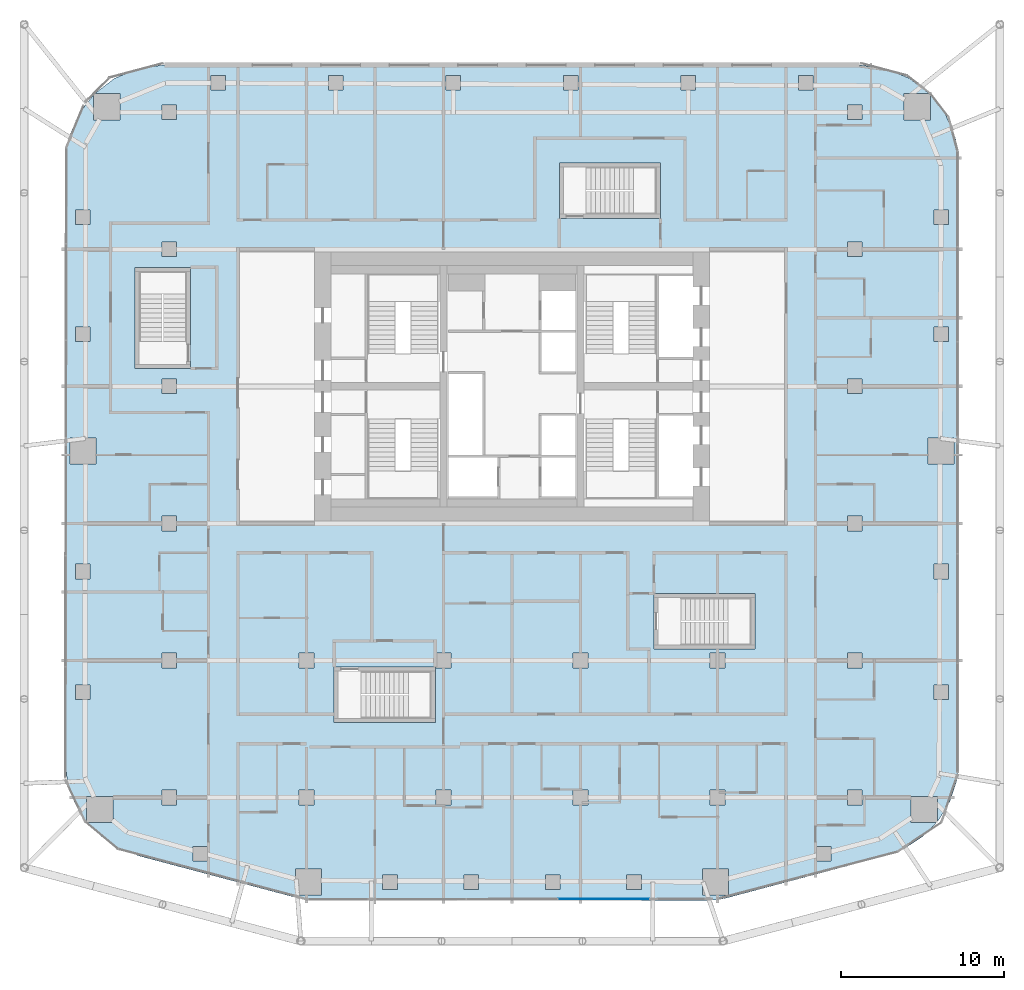
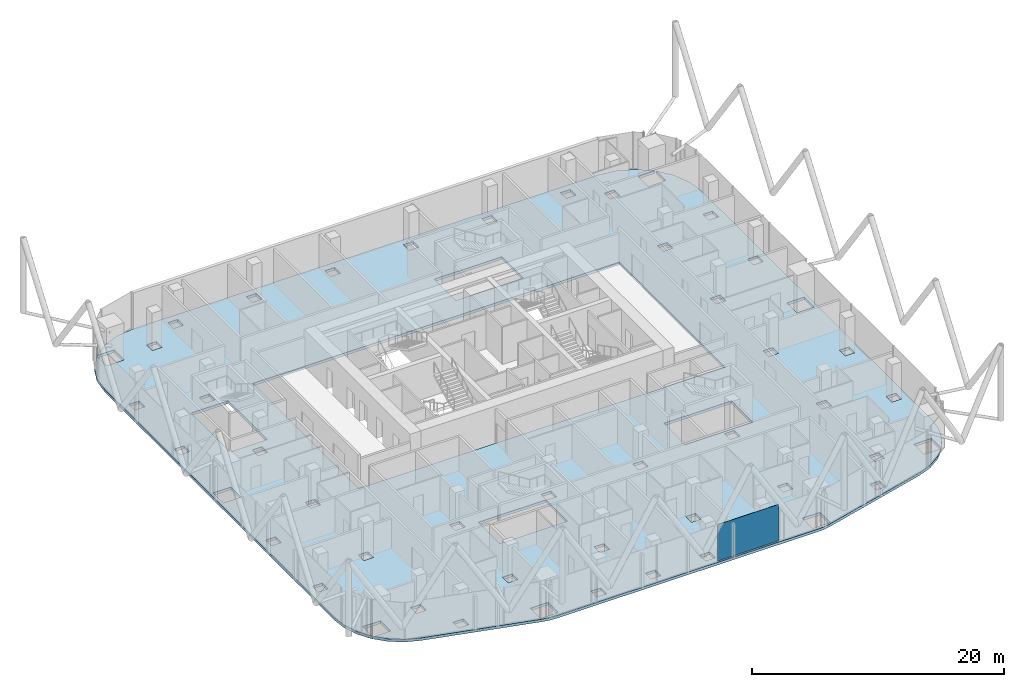
# One storey, part 21 of 36: 1 plate, 1 slab, 1 element without a shape of its own.
"""IFC4 building model written with IfcOpenShell, lengths in metres."""

from ifc_helpers import new_model, si_unit, direction, frame, origin, origin_2d, place, context, subcontext, project, spatial, polyline, rectangle, outline, extrude, material, layer, layer_set, type_object, element, aggregate, save


model = new_model("IFC4")

# Units and contexts
model_context = context("Model", 3, precision=1e-05, world=origin(), true_north=direction((0.0, 1.0)))
body_context = subcontext(model_context, "Body", "Model", "MODEL_VIEW")
ifc_project = project(units=[si_unit("LENGTHUNIT", "METRE"), si_unit("AREAUNIT", "SQUARE_METRE"), si_unit("VOLUMEUNIT", "CUBIC_METRE"), si_unit("PLANEANGLEUNIT", "RADIAN"), si_unit("MASSUNIT", "GRAM", prefix="KILO")], contexts=[model_context])

# Site, building, storey
site_placement = place(None, origin())
site = spatial("IfcSite", under=ifc_project, at=site_placement, CompositionType="ELEMENT")
building_placement = place(site_placement, origin())
building = spatial("IfcBuilding", under=site, at=building_placement, Name="Marenta Gate Hotel Tower", CompositionType="ELEMENT")
storey_placement = place(building_placement, frame((0.0, 0.0, 158.89990234375)))
storey = spatial("IfcBuildingStorey", under=building, at=storey_placement, Name="L37", CompositionType="ELEMENT", Elevation=158.89990234375)

# Slab
ifc_material_1 = material(Name="Concrete C35", Category="concrete")
ifc_layer_1 = layer(ifc_material_1, 0.260009765625)
ifc_layer_set_1 = layer_set([ifc_layer_1], Name="Concrete C35")
slab_type = type_object("IfcSlabType", Name="Concrete floor slab 260", PredefinedType="FLOOR", material=ifc_layer_set_1)
slab_placement = place(storey_placement, frame((0.0, 0.0, -0.260009765625)))
element("IfcSlab", 1, at=slab_placement, inside=storey, type_object=slab_type, Name="L37-SL-1", PredefinedType="FLOOR", context=body_context, shape_type="SweptSolid", body=[
    extrude(outline(polyline([(-25.213623046875, -19.1640625), (-26.011474609375, -18.3330078125), (-24.462890625, -18.3330078125), (-24.462890625, -16.73291015625), (-26.06298828125, -16.73291015625), (-26.06298828125, -18.279296875), (-26.13525390625, -18.2041015625), (-26.826904296875, -17.06689453125), (-27.25537109375, -15.80712890625), (-27.39990234375, -14.48974609375), (-27.39990234375, 22.006591796875), (-27.193115234375, 23.5791015625), (-26.58349609375, 25.050537109375), (-25.635498046875, 26.285888671875), (-25.635498046875, 24.735595703125), (-24.035400390625, 24.735595703125), (-24.035400390625, 26.33544921875), (-25.585693359375, 26.33544921875), (-24.350341796875, 27.283447265625), (-22.87890625, 27.89306640625), (-21.306640625, 28.10009765625), (21.306640625, 28.10009765625), (22.87890625, 27.89306640625), (24.350341796875, 27.283447265625), (25.585693359375, 26.33544921875), (24.035400390625, 26.33544921875), (24.035400390625, 24.735595703125), (25.635498046875, 24.735595703125), (25.635498046875, 26.285888671875), (26.58349609375, 25.050537109375), (27.193115234375, 23.5791015625), (27.39990234375, 22.006591796875), (27.39990234375, -14.48974609375), (27.25537109375, -15.80712890625), (26.826904296875, -17.06689453125), (26.13525390625, -18.2041015625), (26.06298828125, -18.279296875), (26.06298828125, -16.73291015625), (24.462890625, -16.73291015625), (24.462890625, -18.3330078125), (26.011474609375, -18.3330078125), (25.213623046875, -19.1640625), (24.105712890625, -19.9013671875), (22.86962890625, -20.37890625), (13.126708984375, -22.963623046875), (12.608642578125, -23.065673828125), (12.08154296875, -23.10009765625), (-12.08154296875, -23.10009765625), (-12.608642578125, -23.065673828125), (-13.126708984375, -22.963623046875), (-22.86962890625, -20.37890625), (-24.105712890625, -19.9013671875), (-25.213623046875, -19.1640625)]), holes=[polyline([(-16.800048828125, 0.0), (16.800048828125, 0.0), (16.800048828125, 16.800048828125), (-16.800048828125, 16.800048828125), (-16.800048828125, 0.0)]), polyline([(-18.65673828125, -19.7890625), (-19.556884765625, -19.7890625), (-19.556884765625, -20.689208984375), (-18.65673828125, -20.689208984375), (-18.65673828125, -19.7890625)]), polyline([(-20.550048828125, -17.25), (-20.550048828125, -16.35009765625), (-21.449951171875, -16.35009765625), (-21.449951171875, -17.25), (-20.550048828125, -17.25)]), polyline([(-12.14990234375, -16.35009765625), (-13.050048828125, -16.35009765625), (-13.050048828125, -17.25), (-12.14990234375, -17.25), (-12.14990234375, -16.35009765625)]), polyline([(-25.85009765625, -10.802001953125), (-25.85009765625, -9.90185546875), (-26.75, -9.90185546875), (-26.75, -10.802001953125), (-25.85009765625, -10.802001953125)]), polyline([(-20.550048828125, -8.85009765625), (-20.550048828125, -7.949951171875), (-21.449951171875, -7.949951171875), (-21.449951171875, -8.85009765625), (-20.550048828125, -8.85009765625)]), polyline([(-25.85009765625, -2.5009765625), (-26.75, -2.5009765625), (-26.75, -3.40087890625), (-25.85009765625, -3.40087890625), (-25.85009765625, -2.5009765625)]), polyline([(-20.550048828125, -0.449951171875), (-20.550048828125, 0.449951171875), (-21.449951171875, 0.449951171875), (-21.449951171875, -0.449951171875), (-20.550048828125, -0.449951171875)]), polyline([(-25.5, 3.64990234375), (-25.5, 5.25), (-27.10009765625, 5.25), (-27.10009765625, 3.64990234375), (-25.5, 3.64990234375)]), polyline([(-20.550048828125, 8.85009765625), (-21.449951171875, 8.85009765625), (-21.449951171875, 7.949951171875), (-20.550048828125, 7.949951171875), (-20.550048828125, 8.85009765625)]), polyline([(-25.85009765625, 11.1533203125), (-25.85009765625, 12.05322265625), (-26.75, 12.05322265625), (-26.75, 11.1533203125), (-25.85009765625, 11.1533203125)]), polyline([(-20.550048828125, 16.35009765625), (-20.550048828125, 17.25), (-21.449951171875, 17.25), (-21.449951171875, 16.35009765625), (-20.550048828125, 16.35009765625)]), polyline([(-25.85009765625, 19.206298828125), (-26.75, 19.206298828125), (-26.75, 18.306396484375), (-25.85009765625, 18.306396484375), (-25.85009765625, 19.206298828125)]), polyline([(-20.550048828125, 24.75), (-20.550048828125, 25.64990234375), (-21.449951171875, 25.64990234375), (-21.449951171875, 24.75), (-20.550048828125, 24.75)]), polyline([(-17.556884765625, 27.449951171875), (-18.456787109375, 27.449951171875), (-18.456787109375, 26.550048828125), (-17.556884765625, 26.550048828125), (-17.556884765625, 27.449951171875)]), polyline([(-7.030029296875, -22.449951171875), (-7.030029296875, -21.550048828125), (-7.93017578125, -21.550048828125), (-7.93017578125, -22.449951171875), (-7.030029296875, -22.449951171875)]), polyline([(-2.04345703125, -22.449951171875), (-2.04345703125, -21.550048828125), (-2.943359375, -21.550048828125), (-2.943359375, -22.449951171875), (-2.04345703125, -22.449951171875)]), polyline([(2.943359375, -21.550048828125), (2.04345703125, -21.550048828125), (2.04345703125, -22.449951171875), (2.943359375, -22.449951171875), (2.943359375, -21.550048828125)]), polyline([(7.93017578125, -22.449951171875), (7.93017578125, -21.550048828125), (7.030029296875, -21.550048828125), (7.030029296875, -22.449951171875), (7.93017578125, -22.449951171875)]), polyline([(-11.666259765625, -22.77490234375), (-11.666259765625, -21.1748046875), (-13.266357421875, -21.1748046875), (-13.266357421875, -22.77490234375), (-11.666259765625, -22.77490234375)]), polyline([(13.266357421875, -21.1748046875), (11.666259765625, -21.1748046875), (11.666259765625, -22.77490234375), (13.266357421875, -22.77490234375), (13.266357421875, -21.1748046875)]), polyline([(-3.75, -17.25), (-3.75, -16.35009765625), (-4.64990234375, -16.35009765625), (-4.64990234375, -17.25), (-3.75, -17.25)]), polyline([(4.64990234375, -17.25), (4.64990234375, -16.35009765625), (3.75, -16.35009765625), (3.75, -17.25), (4.64990234375, -17.25)]), polyline([(13.050048828125, -16.35009765625), (12.14990234375, -16.35009765625), (12.14990234375, -17.25), (13.050048828125, -17.25), (13.050048828125, -16.35009765625)]), polyline([(-12.14990234375, -8.85009765625), (-12.14990234375, -7.949951171875), (-13.050048828125, -7.949951171875), (-13.050048828125, -8.85009765625), (-12.14990234375, -8.85009765625)]), polyline([(-3.75, -8.85009765625), (-3.75, -7.949951171875), (-4.64990234375, -7.949951171875), (-4.64990234375, -8.85009765625), (-3.75, -8.85009765625)]), polyline([(4.64990234375, -7.949951171875), (3.75, -7.949951171875), (3.75, -8.85009765625), (4.64990234375, -8.85009765625), (4.64990234375, -7.949951171875)]), polyline([(-10.35400390625, 26.550048828125), (-10.35400390625, 27.449951171875), (-11.254150390625, 27.449951171875), (-11.254150390625, 26.550048828125), (-10.35400390625, 26.550048828125)]), polyline([(-3.1513671875, 26.550048828125), (-3.1513671875, 27.449951171875), (-4.051513671875, 27.449951171875), (-4.051513671875, 26.550048828125), (-3.1513671875, 26.550048828125)]), polyline([(4.051513671875, 27.449951171875), (3.1513671875, 27.449951171875), (3.1513671875, 26.550048828125), (4.051513671875, 26.550048828125), (4.051513671875, 27.449951171875)]), polyline([(11.254150390625, 26.550048828125), (11.254150390625, 27.449951171875), (10.35400390625, 27.449951171875), (10.35400390625, 26.550048828125), (11.254150390625, 26.550048828125)]), polyline([(19.556884765625, -20.689208984375), (19.556884765625, -19.7890625), (18.65673828125, -19.7890625), (18.65673828125, -20.689208984375), (19.556884765625, -20.689208984375)]), polyline([(21.449951171875, -17.25), (21.449951171875, -16.35009765625), (20.550048828125, -16.35009765625), (20.550048828125, -17.25), (21.449951171875, -17.25)]), polyline([(26.75, -10.802001953125), (26.75, -9.90185546875), (25.85009765625, -9.90185546875), (25.85009765625, -10.802001953125), (26.75, -10.802001953125)]), polyline([(13.050048828125, -7.949951171875), (12.14990234375, -7.949951171875), (12.14990234375, -8.85009765625), (13.050048828125, -8.85009765625), (13.050048828125, -7.949951171875)]), polyline([(21.449951171875, -8.85009765625), (21.449951171875, -7.949951171875), (20.550048828125, -7.949951171875), (20.550048828125, -8.85009765625), (21.449951171875, -8.85009765625)]), polyline([(26.75, -3.40087890625), (26.75, -2.5009765625), (25.85009765625, -2.5009765625), (25.85009765625, -3.40087890625), (26.75, -3.40087890625)]), polyline([(21.449951171875, 0.449951171875), (20.550048828125, 0.449951171875), (20.550048828125, -0.449951171875), (21.449951171875, -0.449951171875), (21.449951171875, 0.449951171875)]), polyline([(27.10009765625, 3.64990234375), (27.10009765625, 5.25), (25.5, 5.25), (25.5, 3.64990234375), (27.10009765625, 3.64990234375)]), polyline([(21.449951171875, 7.949951171875), (21.449951171875, 8.85009765625), (20.550048828125, 8.85009765625), (20.550048828125, 7.949951171875), (21.449951171875, 7.949951171875)]), polyline([(26.75, 12.05322265625), (25.85009765625, 12.05322265625), (25.85009765625, 11.1533203125), (26.75, 11.1533203125), (26.75, 12.05322265625)]), polyline([(21.449951171875, 16.35009765625), (21.449951171875, 17.25), (20.550048828125, 17.25), (20.550048828125, 16.35009765625), (21.449951171875, 16.35009765625)]), polyline([(26.75, 18.306396484375), (26.75, 19.206298828125), (25.85009765625, 19.206298828125), (25.85009765625, 18.306396484375), (26.75, 18.306396484375)]), polyline([(21.449951171875, 25.64990234375), (20.550048828125, 25.64990234375), (20.550048828125, 24.75), (21.449951171875, 24.75), (21.449951171875, 25.64990234375)]), polyline([(18.456787109375, 26.550048828125), (18.456787109375, 27.449951171875), (17.556884765625, 27.449951171875), (17.556884765625, 26.550048828125), (18.456787109375, 26.550048828125)]), polyline([(-10.89990234375, -12.199951171875), (-4.699951171875, -12.199951171875), (-4.699951171875, -8.800048828125), (-10.89990234375, -8.800048828125), (-10.89990234375, -12.199951171875)]), polyline([(8.699951171875, -7.699951171875), (14.89990234375, -7.699951171875), (14.89990234375, -4.300048828125), (8.699951171875, -4.300048828125), (8.699951171875, -7.699951171875)]), polyline([(-23.10009765625, 9.5), (-19.699951171875, 9.5), (-19.699951171875, 15.699951171875), (-23.10009765625, 15.699951171875), (-23.10009765625, 9.5)]), polyline([(2.89990234375, 18.699951171875), (9.10009765625, 18.699951171875), (9.10009765625, 22.10009765625), (2.89990234375, 22.10009765625), (2.89990234375, 18.699951171875)])]), origin(), (0.0, 0.0, 1.0), 0.260009765625),
])

# Curtain wall, plate
ifc_material_2 = material(Name="Tinted insulated glass in bronze anodised frame", Category="glass")
ifc_layer_2 = layer(ifc_material_2, 0.1201171875)
ifc_layer_set_2 = layer_set([ifc_layer_2], Name="Tinted insulated glass in bronze anodised frame")
curtain_wall_type = type_object("IfcCurtainWallType", Name="Tower unitised curtain wall CW1", PredefinedType="NOTDEFINED", material=ifc_layer_set_2)
curtain_wall_placement = place(storey_placement, origin())
curtain_wall = element("IfcCurtainWall", 2, at=curtain_wall_placement, inside=storey, type_object=curtain_wall_type, Name="CW1 run G21", PredefinedType="NOTDEFINED")
ifc_material_3 = material(Name="Tinted insulated glass", Category="glass")
ifc_layer_3 = layer(ifc_material_3, 0.028076171875)
ifc_layer_set_3 = layer_set([ifc_layer_3], Name="Tinted insulated glass")
plate_type = type_object("IfcPlateType", Name="Glass panel CW1 28 mm tinted insulated unit", PredefinedType="CURTAIN_PANEL", material=ifc_layer_set_3)
plate_placement = place(storey_placement, frame((5.622802734375, -23.022705078125, 0.06005859375), z_axis=(0.0, 0.0, 1.0), x_axis=(0.999999070887, 0.001363166999, 0.0)))
plate = element("IfcPlate", 3, at=plate_placement, type_object=plate_type, Name="CW1 panel 3.1", PredefinedType="CURTAIN_PANEL", context=body_context, shape_type="SweptSolid", body=[
    extrude(rectangle(XDim=5.569580078125, YDim=0.028076171875, at=origin_2d()), origin(), (0.0, 0.0, 1.0), 3.5400390625),
])
aggregate(curtain_wall, [plate])

save(model, "model.ifc")
